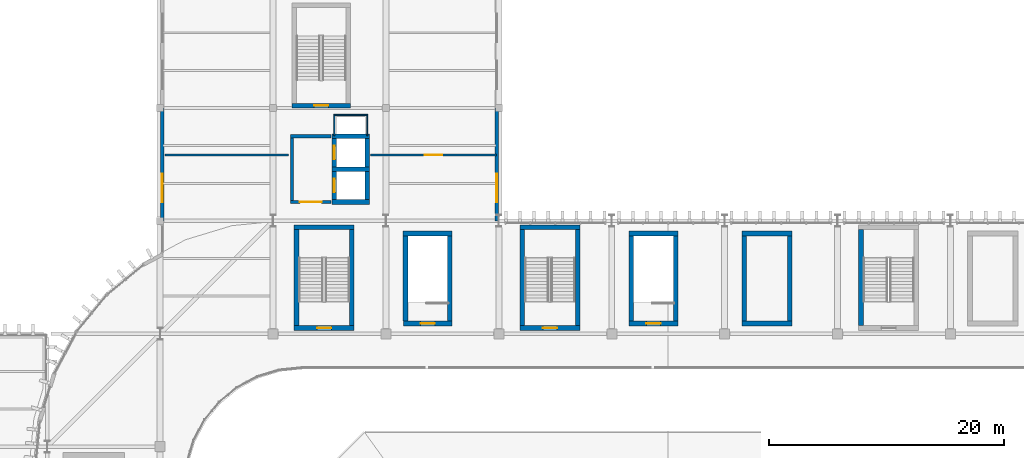
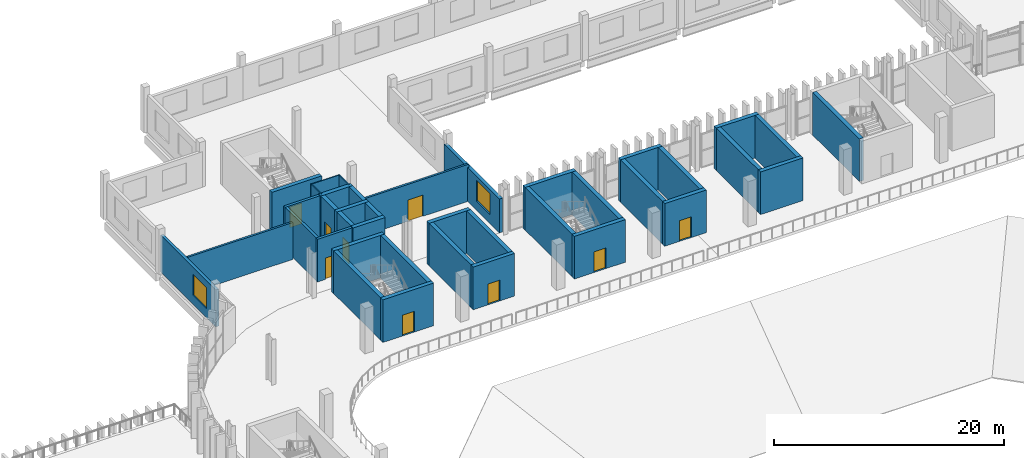
# One storey, part 62 of 99: 39 walls, 9 doors, 2 windows, 11 openings.
"""IFC4 building model written with IfcOpenShell, lengths in metres."""

from ifc_helpers import new_model, si_unit, direction, frame, frame_2d, origin, place, context, subcontext, project, spatial, rectangle, extrude, material, layer, layer_set, type_object, element, fill, save


model = new_model("IFC4")

# Units and contexts
model_context = context("Model", 3, precision=1e-05, world=origin(), true_north=direction((0.0, 1.0)))
body_context = subcontext(model_context, "Body", "Model", "MODEL_VIEW")
ifc_project = project(units=[si_unit("LENGTHUNIT", "METRE"), si_unit("AREAUNIT", "SQUARE_METRE"), si_unit("VOLUMEUNIT", "CUBIC_METRE"), si_unit("PLANEANGLEUNIT", "RADIAN"), si_unit("MASSUNIT", "GRAM", prefix="KILO")], contexts=[model_context])

# Site, building, storey
site_placement = place(None, origin())
site = spatial("IfcSite", under=ifc_project, at=site_placement, CompositionType="ELEMENT")
building_placement = place(site_placement, origin())
building = spatial("IfcBuilding", under=site, at=building_placement, Name="Caelomonte Colonnade Arena", CompositionType="ELEMENT")
storey_placement = place(building_placement, frame((0.0, 0.0, 4.800048828125)))
storey = spatial("IfcBuildingStorey", under=building, at=storey_placement, Name="L01", CompositionType="ELEMENT", Elevation=4.800048828125)

# Wall, opening, window
ifc_material_1 = material(Name="Precast concrete C40/50", Category="concrete")
ifc_layer_1 = layer(ifc_material_1, 0.2900390625)
ifc_layer_set_1 = layer_set([ifc_layer_1], Name="Precast concrete C40/50")
wall_type_1 = type_object("IfcWallType", Name="ENV-WL-EXT29", PredefinedType="SOLIDWALL", material=ifc_layer_set_1)
wall_1_placement = place(storey_placement, frame((67.3798828125, 124.800048828125, 0.0), z_axis=(0.0, 0.0, 1.0), x_axis=(0.0, -1.0, 0.0)))
wall_1 = element("IfcWall", 1, at=wall_1_placement, inside=storey, type_object=wall_type_1, Name="L01 exterior wall EW-L01-0221", PredefinedType="SOLIDWALL", context=body_context, shape_type="SweptSolid", body=[
    extrude(rectangle(XDim=9.60009765625, YDim=0.2900390625, at=frame_2d((4.800048828125, 0.0))), origin(), (0.0, 0.0, 1.0), 3.912841796875),
])
opening_1_placement = place(wall_1_placement, frame((8.0, 0.0, 0.949951171875), z_axis=(0.0, 0.0, 1.0), x_axis=(-1.0, 0.0, 0.0)))
opening_1 = element("IfcOpeningElement", 2, at=opening_1_placement, cuts=wall_1, Name="Opening WN-04", PredefinedType="OPENING", context=body_context, shape_type="SweptSolid", body=[
    extrude(rectangle(XDim=2.39990234375, YDim=2.199951171875, at=frame_2d((1.199951171875, 1.10009765625))), frame((0.0, 0.155029296875, 0.0), z_axis=(0.0, -1.0, 0.0), x_axis=(1.0, 0.0, 0.0)), (0.0, 0.0, 1.0), 0.31005859375),
])
ifc_material_2 = material(Name="Solar-control bronze low-E double glazing", Category="glass")
window_type = type_object("IfcWindowType", Name="ENV-WN-V4A", PartitioningType="DOUBLE_PANEL_VERTICAL", PredefinedType="WINDOW", material=ifc_material_2)
window_1_placement = place(opening_1_placement, origin())
window_1 = element("IfcWindow", 3, at=window_1_placement, inside=storey, type_object=window_type, Name="L01 facade window 138", OverallHeight=2.199951171875, OverallWidth=2.39990234375, PartitioningType="SINGLE_PANEL", PredefinedType="WINDOW", context=body_context, shape_type="SweptSolid", body=[
    extrude(rectangle(XDim=2.39990234375, YDim=2.199951171875, at=frame_2d((1.199951171875, 1.10009765625))), frame((0.0, 0.030029296875, 0.0), z_axis=(0.0, -1.0, 0.0), x_axis=(1.0, 0.0, 0.0)), (0.0, 0.0, 1.0), 0.06005859375),
])
fill(opening_1, window_1)

ifc_layer_2 = layer(ifc_material_1, 0.330078125)
ifc_layer_set_2 = layer_set([ifc_layer_2], Name="Precast concrete C40/50")
wall_type_2 = type_object("IfcWallType", Name="ENV-WL-EXT33", PredefinedType="SOLIDWALL", material=ifc_layer_set_2)
wall_2_placement = place(storey_placement, frame((95.820068359375, 115.199951171875, 0.0), z_axis=(0.0, 0.0, 1.0), x_axis=(0.0, 1.0, 0.0)))
wall_2 = element("IfcWall", 4, at=wall_2_placement, inside=storey, type_object=wall_type_2, Name="L01 exterior wall EW-L01-0236", PredefinedType="SOLIDWALL", context=body_context, shape_type="SweptSolid", body=[
    extrude(rectangle(XDim=9.60009765625, YDim=0.330078125, at=frame_2d((4.800048828125, 0.0))), origin(), (0.0, 0.0, 1.0), 3.593017578125),
])
opening_2_placement = place(wall_2_placement, frame((4.0, 0.0, 0.949951171875), z_axis=(0.0, 0.0, 1.0), x_axis=(-1.0, 0.0, 0.0)))
opening_2 = element("IfcOpeningElement", 5, at=opening_2_placement, cuts=wall_2, Name="Opening WN-04", PredefinedType="OPENING", context=body_context, shape_type="SweptSolid", body=[
    extrude(rectangle(XDim=2.39990234375, YDim=2.199951171875, at=frame_2d((1.199951171875, 1.10009765625))), frame((0.0, 0.175048828125, 0.0), z_axis=(0.0, -1.0, 0.0), x_axis=(1.0, 0.0, 0.0)), (0.0, 0.0, 1.0), 0.35009765625),
])
window_2_placement = place(opening_2_placement, origin())
window_2 = element("IfcWindow", 6, at=window_2_placement, inside=storey, type_object=window_type, Name="L01 facade window 153", OverallHeight=2.199951171875, OverallWidth=2.39990234375, PartitioningType="SINGLE_PANEL", PredefinedType="WINDOW", context=body_context, shape_type="SweptSolid", body=[
    extrude(rectangle(XDim=2.39990234375, YDim=2.199951171875, at=frame_2d((1.199951171875, 1.10009765625))), frame((0.0, 0.030029296875, 0.0), z_axis=(0.0, -1.0, 0.0), x_axis=(1.0, 0.0, 0.0)), (0.0, 0.0, 1.0), 0.06005859375),
])
fill(opening_2, window_2)

# Wall, opening, door
ifc_material_3 = material(Name="Concrete C40/50", Category="concrete")
ifc_layer_3 = layer(ifc_material_3, 0.260009765625)
ifc_layer_set_3 = layer_set([ifc_layer_3], Name="Concrete C40/50")
wall_type_3 = type_object("IfcWallType", Name="INT-WL-FW26", PredefinedType="SOLIDWALL", material=ifc_layer_set_3)
wall_3_placement = place(storey_placement, frame((78.27001953125, 116.800048828125, 0.0), z_axis=(0.0, 0.0, 1.0), x_axis=(1.0, 0.0, 0.0)))
wall_3 = element("IfcWall", 7, at=wall_3_placement, inside=storey, type_object=wall_type_3, Name="FW-C7-LB L01 south enclosure wall", PredefinedType="SOLIDWALL", context=body_context, shape_type="SweptSolid", body=[
    extrude(rectangle(XDim=3.4599609375, YDim=0.260009765625, at=frame_2d((1.72998046875, 0.0))), origin(), (0.0, 0.0, 1.0), 4.52001953125),
])
opening_3_placement = place(wall_3_placement, frame((2.655029296875, 0.0, 0.0), z_axis=(0.0, 0.0, 1.0), x_axis=(-1.0, 0.0, 0.0)))
opening_3 = element("IfcOpeningElement", 8, at=opening_3_placement, cuts=wall_3, Name="Opening FD-2", PredefinedType="OPENING", context=body_context, shape_type="SweptSolid", body=[
    extrude(rectangle(XDim=1.85009765625, YDim=2.25, at=frame_2d((0.925048828125, 1.125))), frame((0.0, 0.139892578125, 0.0), z_axis=(0.0, -1.0, 0.0), x_axis=(1.0, 0.0, 0.0)), (0.0, 0.0, 1.0), 0.280029296875),
])
ifc_material_4 = material(Name="Fire-rated double steel door", Category="steel")
door_type_1 = type_object("IfcDoorType", Name="INT-DR-FD90B", OperationType="DOUBLE_DOOR_SINGLE_SWING", PredefinedType="DOOR", material=ifc_material_4)
door_1_placement = place(opening_3_placement, origin())
door_1 = element("IfcDoor", 9, at=door_1_placement, inside=storey, type_object=door_type_1, Name="Core C7 L01 lobby fire door", OperationType="DOUBLE_DOOR_SINGLE_SWING", OverallHeight=2.25, OverallWidth=1.85009765625, PredefinedType="DOOR", context=body_context, shape_type="SweptSolid", body=[
    extrude(rectangle(XDim=1.85009765625, YDim=2.25, at=frame_2d((0.925048828125, 1.125))), frame((0.0, 0.02490234375, 0.0), z_axis=(0.0, -1.0, 0.0), x_axis=(1.0, 0.0, 0.0)), (0.0, 0.0, 1.0), 0.050048828125),
])
fill(opening_3, door_1)

# Walls
wall_4_placement = place(storey_placement, frame((81.72998046875, 122.39990234375, 0.0), z_axis=(0.0, 0.0, 1.0), x_axis=(-1.0, 0.0, 0.0)))
element("IfcWall", 10, at=wall_4_placement, inside=storey, type_object=wall_type_3, Name="FW-C7-LB L01 north enclosure wall", PredefinedType="SOLIDWALL", context=body_context, shape_type="SweptSolid", body=[
    extrude(rectangle(XDim=3.4599609375, YDim=0.260009765625, at=frame_2d((1.72998046875, 0.0))), origin(), (0.0, 0.0, 1.0), 4.52001953125),
])
wall_5_placement = place(storey_placement, frame((78.39990234375, 122.27001953125, 0.0), z_axis=(0.0, 0.0, 1.0), x_axis=(0.0, -1.0, 0.0)))
element("IfcWall", 11, at=wall_5_placement, inside=storey, type_object=wall_type_3, Name="FW-C7-LB L01 west enclosure wall", PredefinedType="SOLIDWALL", context=body_context, shape_type="SweptSolid", body=[
    extrude(rectangle(XDim=5.340087890625, YDim=0.260009765625, at=frame_2d((2.669921875, 0.0))), origin(), (0.0, 0.0, 1.0), 4.52001953125),
])
ifc_material_5 = material(Name="Service shaft lining partition")
ifc_layer_4 = layer(ifc_material_5, 0.10009765625)
ifc_layer_set_4 = layer_set([ifc_layer_4], Name="Service shaft lining partition")
wall_type_4 = type_object("IfcWallType", Name="INT-WL-PT10", PredefinedType="PARTITIONING", material=ifc_layer_set_4)
wall_6_placement = place(storey_placement, frame((84.85009765625, 124.199951171875, 0.0), z_axis=(0.0, 0.0, 1.0), x_axis=(-1.0, 0.0, 0.0)))
element("IfcWall", 12, at=wall_6_placement, inside=storey, type_object=wall_type_4, Name="FW-C7-RS L01 north enclosure wall", PredefinedType="PARTITIONING", context=body_context, shape_type="SweptSolid", body=[
    extrude(rectangle(XDim=2.900146484375, YDim=0.10009765625, at=frame_2d((1.4501953125, 0.0))), origin(), (0.0, 0.0, 1.0), 4.52001953125),
])
for number, where, z_axis, x_axis, name in (
    (13, (82.0, 124.14990234375, 0.0), (0.0, 0.0, 1.0), (0.0, -1.0, 0.0), "FW-C7-RS L01 west enclosure wall"),
    (14, (84.800048828125, 122.449951171875, 0.0), (0.0, 0.0, 1.0), (0.0, 1.0, 0.0), "FW-C7-RS L01 east enclosure wall"),
):
    element("IfcWall", number, at=place(storey_placement, frame(where, z_axis=z_axis, x_axis=x_axis)), inside=storey, type_object=wall_type_4, Name=name, PredefinedType="PARTITIONING", context=body_context, shape_type="SweptSolid", body=[
        extrude(rectangle(XDim=1.699951171875, YDim=0.10009765625, at=frame_2d((0.85009765625, 0.0))), origin(), (0.0, 0.0, 1.0), 4.52001953125),
    ])

# Wall, opening, door
ifc_material_6 = material(Name="Fire-rated gypsum stud partition")
ifc_layer_5 = layer(ifc_material_6, 0.199951171875)
ifc_layer_set_5 = layer_set([ifc_layer_5], Name="Fire-rated gypsum stud partition")
wall_type_5 = type_object("IfcWallType", Name="INT-WL-PT20", PredefinedType="PARTITIONING", material=ifc_layer_set_5)
wall_7_placement = place(storey_placement, frame((95.780029296875, 120.800048828125, 0.0), z_axis=(0.0, 0.0, 1.0), x_axis=(-1.0, 0.0, 0.0)))
wall_7 = element("IfcWall", 15, at=wall_7_placement, inside=storey, type_object=wall_type_5, Name="L01 Peristyle Fan Lounge partition 119", PredefinedType="PARTITIONING", context=body_context, shape_type="SweptSolid", body=[
    extrude(rectangle(XDim=10.699951171875, YDim=0.199951171875, at=frame_2d((5.35009765625, 0.0))), origin(), (0.0, 0.0, 1.0), 3.912841796875),
])
opening_4_placement = place(wall_7_placement, frame((4.60009765625, 0.0, 0.0), z_axis=(0.0, 0.0, 1.0), x_axis=(1.0, 0.0, 0.0)))
opening_4 = element("IfcOpeningElement", 16, at=opening_4_placement, cuts=wall_7, Name="Opening D-L01-039", PredefinedType="OPENING", context=body_context, shape_type="SweptSolid", body=[
    extrude(rectangle(XDim=1.5, YDim=2.25, at=frame_2d((0.75, 1.125))), frame((0.0, 0.10986328125, 0.0), z_axis=(0.0, -1.0, 0.0), x_axis=(1.0, 0.0, 0.0)), (0.0, 0.0, 1.0), 0.219970703125),
])
ifc_material_7 = material(Name="Hardwood double club lounge door", Category="wood")
door_type_2 = type_object("IfcDoorType", Name="INT-DR-SU2", OperationType="DOUBLE_DOOR_SINGLE_SWING", PredefinedType="DOOR", material=ifc_material_7)
door_2_placement = place(opening_4_placement, origin())
door_2 = element("IfcDoor", 17, at=door_2_placement, inside=storey, type_object=door_type_2, Name="L01 Peristyle Fan Lounge door D-L01-039", OperationType="DOUBLE_DOOR_SINGLE_SWING", OverallHeight=2.25, OverallWidth=1.5, PredefinedType="DOOR", context=body_context, shape_type="SweptSolid", body=[
    extrude(rectangle(XDim=1.5, YDim=2.25, at=frame_2d((0.75, 1.125))), frame((0.0, 0.02490234375, 0.0), z_axis=(0.0, -1.0, 0.0), x_axis=(1.0, 0.0, 0.0)), (0.0, 0.0, 1.0), 0.050048828125),
])
fill(opening_4, door_2)

# Wall
wall_8_placement = place(storey_placement, frame((78.1201171875, 120.800048828125, 0.0), z_axis=(0.0, 0.0, 1.0), x_axis=(-1.0, 0.0, 0.0)))
element("IfcWall", 18, at=wall_8_placement, inside=storey, type_object=wall_type_5, Name="L01 Peristyle Fan Lounge partition 120", PredefinedType="PARTITIONING", context=body_context, shape_type="SweptSolid", body=[
    extrude(rectangle(XDim=10.52001953125, YDim=0.199951171875, at=frame_2d((5.260009765625, 0.0))), origin(), (0.0, 0.0, 1.0), 3.912841796875),
])

# Wall, opening, door
ifc_material_8 = material(Name="Concrete C50/60", Category="concrete")
ifc_layer_6 = layer(ifc_material_8, 0.39990234375)
ifc_layer_set_6 = layer_set([ifc_layer_6], Name="Concrete C50/60")
wall_type_6 = type_object("IfcWallType", Name="INT-WL-SH40", PredefinedType="SHEAR", material=ifc_layer_set_6)
wall_9_placement = place(storey_placement, frame((78.39990234375, 125.0, 0.0), z_axis=(0.0, 0.0, 1.0), x_axis=(1.0, 0.0, 0.0)))
wall_9 = element("IfcWall", 19, at=wall_9_placement, inside=storey, type_object=wall_type_6, Name="CW-C7-ST L01 south enclosure wall", PredefinedType="SHEAR", context=body_context, shape_type="SweptSolid", body=[
    extrude(rectangle(XDim=5.0, YDim=0.39990234375, at=frame_2d((2.5, 0.0))), origin(), (0.0, 0.0, 1.0), 4.52001953125),
])
opening_5_placement = place(wall_9_placement, frame((3.099853515625, 0.0, 0.0), z_axis=(0.0, 0.0, 1.0), x_axis=(-1.0, 0.0, 0.0)))
opening_5 = element("IfcOpeningElement", 20, at=opening_5_placement, cuts=wall_9, Name="Opening FD-1", PredefinedType="OPENING", context=body_context, shape_type="SweptSolid", body=[
    extrude(rectangle(XDim=1.199951171875, YDim=2.199951171875, at=frame_2d((0.60009765625, 1.10009765625))), frame((0.0, 0.2099609375, 0.0), z_axis=(0.0, -1.0, 0.0), x_axis=(1.0, 0.0, 0.0)), (0.0, 0.0, 1.0), 0.419921875),
])
ifc_material_9 = material(Name="Fire-rated steel door", Category="steel")
door_type_3 = type_object("IfcDoorType", Name="INT-DR-FD90A", OperationType="NOTDEFINED", PredefinedType="DOOR", material=ifc_material_9)
door_3_placement = place(opening_5_placement, origin())
door_3 = element("IfcDoor", 21, at=door_3_placement, inside=storey, type_object=door_type_3, Name="Core C7 L01 exit stair fire door", OperationType="SINGLE_SWING_LEFT", OverallHeight=2.199951171875, OverallWidth=1.199951171875, PredefinedType="DOOR", context=body_context, shape_type="SweptSolid", body=[
    extrude(rectangle(XDim=1.199951171875, YDim=2.199951171875, at=frame_2d((0.60009765625, 1.10009765625))), frame((0.0, 0.02490234375, 0.0), z_axis=(0.0, -1.0, 0.0), x_axis=(1.0, 0.0, 0.0)), (0.0, 0.0, 1.0), 0.050048828125),
])
fill(opening_5, door_3)

# Walls
for number, where, z_axis, x_axis, name in (
    (22, (81.800048828125, 116.800048828125, 0.0), (0.0, 0.0, 1.0), (1.0, 0.0, 0.0), "CW-C7-LF L01 south enclosure wall"),
    (23, (85.0, 119.60009765625, 0.0), (0.0, 0.0, 1.0), (-1.0, 0.0, 0.0), "CW-C7-LF L01 north enclosure wall"),
):
    element("IfcWall", number, at=place(storey_placement, frame(where, z_axis=z_axis, x_axis=x_axis)), inside=storey, type_object=wall_type_6, Name=name, PredefinedType="SHEAR", context=body_context, shape_type="SweptSolid", body=[
        extrude(rectangle(XDim=3.199951171875, YDim=0.39990234375, at=frame_2d((1.60009765625, 0.0))), origin(), (0.0, 0.0, 1.0), 4.52001953125),
    ])

# Wall, opening, door
wall_10_placement = place(storey_placement, frame((82.0, 119.39990234375, 0.0), z_axis=(0.0, 0.0, 1.0), x_axis=(0.0, -1.0, 0.0)))
wall_10 = element("IfcWall", 24, at=wall_10_placement, inside=storey, type_object=wall_type_6, Name="CW-C7-LF L01 west enclosure wall", PredefinedType="SHEAR", context=body_context, shape_type="SweptSolid", body=[
    extrude(rectangle(XDim=2.39990234375, YDim=0.39990234375, at=frame_2d((1.199951171875, 0.0))), origin(), (0.0, 0.0, 1.0), 4.52001953125),
])
opening_6_placement = place(wall_10_placement, frame((0.625, 0.0, 0.0), z_axis=(0.0, 0.0, 1.0), x_axis=(1.0, 0.0, 0.0)))
opening_6 = element("IfcOpeningElement", 25, at=opening_6_placement, cuts=wall_10, Name="Opening LD-LF-05-L01", PredefinedType="OPENING", context=body_context, shape_type="SweptSolid", body=[
    extrude(rectangle(XDim=1.14990234375, YDim=2.199951171875, at=frame_2d((0.574951171875, 1.10009765625))), frame((0.0, 0.2099609375, 0.0), z_axis=(0.0, -1.0, 0.0), x_axis=(1.0, 0.0, 0.0)), (0.0, 0.0, 1.0), 0.419921875),
])
ifc_material_10 = material(Name="Stainless steel lift landing door", Category="steel")
door_type_4 = type_object("IfcDoorType", Name="INT-DR-LD1", OperationType="SLIDING_TO_LEFT", PredefinedType="DOOR", material=ifc_material_10)
door_4_placement = place(opening_6_placement, origin())
door_4 = element("IfcDoor", 26, at=door_4_placement, inside=storey, type_object=door_type_4, Name="Lift LF-05 L01 sliding landing door", OperationType="SLIDING_TO_LEFT", OverallHeight=2.199951171875, OverallWidth=1.14990234375, PredefinedType="DOOR", context=body_context, shape_type="SweptSolid", body=[
    extrude(rectangle(XDim=1.14990234375, YDim=2.199951171875, at=frame_2d((0.574951171875, 1.10009765625))), frame((0.0, 0.02490234375, 0.0), z_axis=(0.0, -1.0, 0.0), x_axis=(1.0, 0.0, 0.0)), (0.0, 0.0, 1.0), 0.050048828125),
])
fill(opening_6, door_4)

# Walls
wall_11_placement = place(storey_placement, frame((84.800048828125, 117.0, 0.0), z_axis=(0.0, 0.0, 1.0), x_axis=(0.0, 1.0, 0.0)))
element("IfcWall", 27, at=wall_11_placement, inside=storey, type_object=wall_type_6, Name="CW-C7-LF L01 east enclosure wall", PredefinedType="SHEAR", context=body_context, shape_type="SweptSolid", body=[
    extrude(rectangle(XDim=2.39990234375, YDim=0.39990234375, at=frame_2d((1.199951171875, 0.0))), origin(), (0.0, 0.0, 1.0), 4.52001953125),
])
wall_12_placement = place(storey_placement, frame((85.0, 122.39990234375, 0.0), z_axis=(0.0, 0.0, 1.0), x_axis=(-1.0, 0.0, 0.0)))
element("IfcWall", 28, at=wall_12_placement, inside=storey, type_object=wall_type_6, Name="CW-C7-LF2 L01 north enclosure wall", PredefinedType="SHEAR", context=body_context, shape_type="SweptSolid", body=[
    extrude(rectangle(XDim=3.199951171875, YDim=0.39990234375, at=frame_2d((1.60009765625, 0.0))), origin(), (0.0, 0.0, 1.0), 4.52001953125),
])

# Wall, opening, door
wall_13_placement = place(storey_placement, frame((82.0, 122.199951171875, 0.0), z_axis=(0.0, 0.0, 1.0), x_axis=(0.0, -1.0, 0.0)))
wall_13 = element("IfcWall", 29, at=wall_13_placement, inside=storey, type_object=wall_type_6, Name="CW-C7-LF2 L01 west enclosure wall", PredefinedType="SHEAR", context=body_context, shape_type="SweptSolid", body=[
    extrude(rectangle(XDim=2.39990234375, YDim=0.39990234375, at=frame_2d((1.199951171875, 0.0))), origin(), (0.0, 0.0, 1.0), 4.52001953125),
])
opening_7_placement = place(wall_13_placement, frame((0.625, 0.0, 0.0), z_axis=(0.0, 0.0, 1.0), x_axis=(1.0, 0.0, 0.0)))
opening_7 = element("IfcOpeningElement", 30, at=opening_7_placement, cuts=wall_13, Name="Opening LD-LF-06-L01", PredefinedType="OPENING", context=body_context, shape_type="SweptSolid", body=[
    extrude(rectangle(XDim=1.14990234375, YDim=2.199951171875, at=frame_2d((0.574951171875, 1.10009765625))), frame((0.0, 0.2099609375, 0.0), z_axis=(0.0, -1.0, 0.0), x_axis=(1.0, 0.0, 0.0)), (0.0, 0.0, 1.0), 0.419921875),
])
door_5_placement = place(opening_7_placement, origin())
door_5 = element("IfcDoor", 31, at=door_5_placement, inside=storey, type_object=door_type_4, Name="Lift LF-06 L01 sliding landing door", OperationType="SLIDING_TO_LEFT", OverallHeight=2.199951171875, OverallWidth=1.14990234375, PredefinedType="DOOR", context=body_context, shape_type="SweptSolid", body=[
    extrude(rectangle(XDim=1.14990234375, YDim=2.199951171875, at=frame_2d((0.574951171875, 1.10009765625))), frame((0.0, 0.02490234375, 0.0), z_axis=(0.0, -1.0, 0.0), x_axis=(1.0, 0.0, 0.0)), (0.0, 0.0, 1.0), 0.050048828125),
])
fill(opening_7, door_5)

# Wall
wall_14_placement = place(storey_placement, frame((84.800048828125, 119.800048828125, 0.0), z_axis=(0.0, 0.0, 1.0), x_axis=(0.0, 1.0, 0.0)))
element("IfcWall", 32, at=wall_14_placement, inside=storey, type_object=wall_type_6, Name="CW-C7-LF2 L01 east enclosure wall", PredefinedType="SHEAR", context=body_context, shape_type="SweptSolid", body=[
    extrude(rectangle(XDim=2.39990234375, YDim=0.39990234375, at=frame_2d((1.199951171875, 0.0))), origin(), (0.0, 0.0, 1.0), 4.52001953125),
])

# Wall, opening, door
wall_15_placement = place(storey_placement, frame((78.60009765625, 106.10009765625, 0.0), z_axis=(0.0, 0.0, 1.0), x_axis=(1.0, 0.0, 0.0)))
wall_15 = element("IfcWall", 33, at=wall_15_placement, inside=storey, type_object=wall_type_6, Name="CW-ST-14 L01 south enclosure wall", PredefinedType="SHEAR", context=body_context, shape_type="SweptSolid", body=[
    extrude(rectangle(XDim=5.099853515625, YDim=0.39990234375, at=frame_2d((2.5498046875, 0.0))), origin(), (0.0, 0.0, 1.0), 4.52001953125),
])
opening_8_placement = place(wall_15_placement, frame((3.14990234375, 0.0, 0.0), z_axis=(0.0, 0.0, 1.0), x_axis=(-1.0, 0.0, 0.0)))
opening_8 = element("IfcOpeningElement", 34, at=opening_8_placement, cuts=wall_15, Name="Opening FD-1", PredefinedType="OPENING", context=body_context, shape_type="SweptSolid", body=[
    extrude(rectangle(XDim=1.199951171875, YDim=2.199951171875, at=frame_2d((0.60009765625, 1.10009765625))), frame((0.0, 0.2099609375, 0.0), z_axis=(0.0, -1.0, 0.0), x_axis=(1.0, 0.0, 0.0)), (0.0, 0.0, 1.0), 0.419921875),
])
door_6_placement = place(opening_8_placement, origin())
door_6 = element("IfcDoor", 35, at=door_6_placement, inside=storey, type_object=door_type_3, Name="Protected exit stair ST-14 L01 fire door", OperationType="SINGLE_SWING_LEFT", OverallHeight=2.199951171875, OverallWidth=1.199951171875, PredefinedType="DOOR", context=body_context, shape_type="SweptSolid", body=[
    extrude(rectangle(XDim=1.199951171875, YDim=2.199951171875, at=frame_2d((0.60009765625, 1.10009765625))), frame((0.0, 0.02490234375, 0.0), z_axis=(0.0, -1.0, 0.0), x_axis=(1.0, 0.0, 0.0)), (0.0, 0.0, 1.0), 0.050048828125),
])
fill(opening_8, door_6)

# Walls
wall_16_placement = place(storey_placement, frame((83.699951171875, 114.64990234375, 0.0), z_axis=(0.0, 0.0, 1.0), x_axis=(-1.0, 0.0, 0.0)))
element("IfcWall", 36, at=wall_16_placement, inside=storey, type_object=wall_type_6, Name="CW-ST-14 L01 north enclosure wall", PredefinedType="SHEAR", context=body_context, shape_type="SweptSolid", body=[
    extrude(rectangle(XDim=5.099853515625, YDim=0.39990234375, at=frame_2d((2.5498046875, 0.0))), origin(), (0.0, 0.0, 1.0), 4.52001953125),
])
for number, where, z_axis, x_axis, name in (
    (37, (78.800048828125, 114.449951171875, 0.0), (0.0, 0.0, 1.0), (0.0, -1.0, 0.0), "CW-ST-14 L01 west enclosure wall"),
    (38, (83.5, 106.300048828125, 0.0), (0.0, 0.0, 1.0), (0.0, 1.0, 0.0), "CW-ST-14 L01 east enclosure wall"),
):
    element("IfcWall", number, at=place(storey_placement, frame(where, z_axis=z_axis, x_axis=x_axis)), inside=storey, type_object=wall_type_6, Name=name, PredefinedType="SHEAR", context=body_context, shape_type="SweptSolid", body=[
        extrude(rectangle(XDim=8.14990234375, YDim=0.39990234375, at=frame_2d((4.074951171875, 0.0))), origin(), (0.0, 0.0, 1.0), 4.52001953125),
    ])

# Wall, opening, door
wall_17_placement = place(storey_placement, frame((97.800048828125, 106.10009765625, 0.0), z_axis=(0.0, 0.0, 1.0), x_axis=(1.0, 0.0, 0.0)))
wall_17 = element("IfcWall", 39, at=wall_17_placement, inside=storey, type_object=wall_type_6, Name="CW-ST-15 L01 south enclosure wall", PredefinedType="SHEAR", context=body_context, shape_type="SweptSolid", body=[
    extrude(rectangle(XDim=5.099853515625, YDim=0.39990234375, at=frame_2d((2.5498046875, 0.0))), origin(), (0.0, 0.0, 1.0), 4.52001953125),
])
opening_9_placement = place(wall_17_placement, frame((3.14990234375, 0.0, 0.0), z_axis=(0.0, 0.0, 1.0), x_axis=(-1.0, 0.0, 0.0)))
opening_9 = element("IfcOpeningElement", 40, at=opening_9_placement, cuts=wall_17, Name="Opening FD-1", PredefinedType="OPENING", context=body_context, shape_type="SweptSolid", body=[
    extrude(rectangle(XDim=1.199951171875, YDim=2.199951171875, at=frame_2d((0.60009765625, 1.10009765625))), frame((0.0, 0.2099609375, 0.0), z_axis=(0.0, -1.0, 0.0), x_axis=(1.0, 0.0, 0.0)), (0.0, 0.0, 1.0), 0.419921875),
])
door_7_placement = place(opening_9_placement, origin())
door_7 = element("IfcDoor", 41, at=door_7_placement, inside=storey, type_object=door_type_3, Name="Protected exit stair ST-15 L01 fire door", OperationType="SINGLE_SWING_RIGHT", OverallHeight=2.199951171875, OverallWidth=1.199951171875, PredefinedType="DOOR", context=body_context, shape_type="SweptSolid", body=[
    extrude(rectangle(XDim=1.199951171875, YDim=2.199951171875, at=frame_2d((0.60009765625, 1.10009765625))), frame((0.0, 0.02490234375, 0.0), z_axis=(0.0, -1.0, 0.0), x_axis=(1.0, 0.0, 0.0)), (0.0, 0.0, 1.0), 0.050048828125),
])
fill(opening_9, door_7)

# Walls
wall_18_placement = place(storey_placement, frame((102.89990234375, 114.64990234375, 0.0), z_axis=(0.0, 0.0, 1.0), x_axis=(-1.0, 0.0, 0.0)))
element("IfcWall", 42, at=wall_18_placement, inside=storey, type_object=wall_type_6, Name="CW-ST-15 L01 north enclosure wall", PredefinedType="SHEAR", context=body_context, shape_type="SweptSolid", body=[
    extrude(rectangle(XDim=5.099853515625, YDim=0.39990234375, at=frame_2d((2.5498046875, 0.0))), origin(), (0.0, 0.0, 1.0), 4.52001953125),
])
for number, where, z_axis, x_axis, name in (
    (43, (98.0, 114.449951171875, 0.0), (0.0, 0.0, 1.0), (0.0, -1.0, 0.0), "CW-ST-15 L01 west enclosure wall"),
    (44, (102.699951171875, 106.300048828125, 0.0), (0.0, 0.0, 1.0), (0.0, 1.0, 0.0), "CW-ST-15 L01 east enclosure wall"),
    (45, (126.800048828125, 114.449951171875, 0.0), (0.0, 0.0, 1.0), (0.0, -1.0, 0.0), "CW-ST-16 L01 west enclosure wall"),
):
    element("IfcWall", number, at=place(storey_placement, frame(where, z_axis=z_axis, x_axis=x_axis)), inside=storey, type_object=wall_type_6, Name=name, PredefinedType="SHEAR", context=body_context, shape_type="SweptSolid", body=[
        extrude(rectangle(XDim=8.14990234375, YDim=0.39990234375, at=frame_2d((4.074951171875, 0.0))), origin(), (0.0, 0.0, 1.0), 4.52001953125),
    ])

# Wall, opening, door
wall_19_placement = place(storey_placement, frame((87.8701171875, 106.469970703125, 0.0), z_axis=(0.0, 0.0, 1.0), x_axis=(1.0, 0.0, 0.0)))
wall_19 = element("IfcWall", 46, at=wall_19_placement, inside=storey, type_object=wall_type_6, Name="CW-ST-V05 L01 south enclosure wall", PredefinedType="SHEAR", context=body_context, shape_type="SweptSolid", body=[
    extrude(rectangle(XDim=4.159912109375, YDim=0.39990234375, at=frame_2d((2.080078125, 0.0))), origin(), (0.0, 0.0, 1.0), 4.52001953125),
])
opening_10_placement = place(wall_19_placement, frame((2.679931640625, 0.0, 0.0), z_axis=(0.0, 0.0, 1.0), x_axis=(-1.0, 0.0, 0.0)))
opening_10 = element("IfcOpeningElement", 47, at=opening_10_placement, cuts=wall_19, Name="Opening FD-1", PredefinedType="OPENING", context=body_context, shape_type="SweptSolid", body=[
    extrude(rectangle(XDim=1.199951171875, YDim=2.199951171875, at=frame_2d((0.60009765625, 1.10009765625))), frame((0.0, 0.2099609375, 0.0), z_axis=(0.0, -1.0, 0.0), x_axis=(1.0, 0.0, 0.0)), (0.0, 0.0, 1.0), 0.419921875),
])
door_8_placement = place(opening_10_placement, origin())
door_8 = element("IfcDoor", 48, at=door_8_placement, inside=storey, type_object=door_type_3, Name="Vomitory VOM-05 stair ST-V05 L01 portal door", OperationType="SINGLE_SWING_LEFT", OverallHeight=2.199951171875, OverallWidth=1.199951171875, PredefinedType="DOOR", context=body_context, shape_type="SweptSolid", body=[
    extrude(rectangle(XDim=1.199951171875, YDim=2.199951171875, at=frame_2d((0.60009765625, 1.10009765625))), frame((0.0, 0.02490234375, 0.0), z_axis=(0.0, -1.0, 0.0), x_axis=(1.0, 0.0, 0.0)), (0.0, 0.0, 1.0), 0.050048828125),
])
fill(opening_10, door_8)

# Walls
wall_20_placement = place(storey_placement, frame((92.030029296875, 114.1298828125, 0.0), z_axis=(0.0, 0.0, 1.0), x_axis=(-1.0, 0.0, 0.0)))
element("IfcWall", 49, at=wall_20_placement, inside=storey, type_object=wall_type_6, Name="CW-ST-V05 L01 north enclosure wall", PredefinedType="SHEAR", context=body_context, shape_type="SweptSolid", body=[
    extrude(rectangle(XDim=4.159912109375, YDim=0.39990234375, at=frame_2d((2.080078125, 0.0))), origin(), (0.0, 0.0, 1.0), 4.52001953125),
])
for number, where, z_axis, x_axis, name in (
    (50, (88.070068359375, 113.929931640625, 0.0), (0.0, 0.0, 1.0), (0.0, -1.0, 0.0), "CW-ST-V05 L01 west enclosure wall"),
    (51, (91.830078125, 106.669921875, 0.0), (0.0, 0.0, 1.0), (0.0, 1.0, 0.0), "CW-ST-V05 L01 east enclosure wall"),
):
    element("IfcWall", number, at=place(storey_placement, frame(where, z_axis=z_axis, x_axis=x_axis)), inside=storey, type_object=wall_type_6, Name=name, PredefinedType="SHEAR", context=body_context, shape_type="SweptSolid", body=[
        extrude(rectangle(XDim=7.260009765625, YDim=0.39990234375, at=frame_2d((3.6298828125, 0.0))), origin(), (0.0, 0.0, 1.0), 4.52001953125),
    ])

# Wall, opening, door
wall_21_placement = place(storey_placement, frame((107.070068359375, 106.469970703125, 0.0), z_axis=(0.0, 0.0, 1.0), x_axis=(1.0, 0.0, 0.0)))
wall_21 = element("IfcWall", 52, at=wall_21_placement, inside=storey, type_object=wall_type_6, Name="CW-ST-V06 L01 south enclosure wall", PredefinedType="SHEAR", context=body_context, shape_type="SweptSolid", body=[
    extrude(rectangle(XDim=4.159912109375, YDim=0.39990234375, at=frame_2d((2.080078125, 0.0))), origin(), (0.0, 0.0, 1.0), 4.52001953125),
])
opening_11_placement = place(wall_21_placement, frame((2.679931640625, 0.0, 0.0), z_axis=(0.0, 0.0, 1.0), x_axis=(-1.0, 0.0, 0.0)))
opening_11 = element("IfcOpeningElement", 53, at=opening_11_placement, cuts=wall_21, Name="Opening FD-1", PredefinedType="OPENING", context=body_context, shape_type="SweptSolid", body=[
    extrude(rectangle(XDim=1.199951171875, YDim=2.199951171875, at=frame_2d((0.60009765625, 1.10009765625))), frame((0.0, 0.2099609375, 0.0), z_axis=(0.0, -1.0, 0.0), x_axis=(1.0, 0.0, 0.0)), (0.0, 0.0, 1.0), 0.419921875),
])
door_9_placement = place(opening_11_placement, origin())
door_9 = element("IfcDoor", 54, at=door_9_placement, inside=storey, type_object=door_type_3, Name="Vomitory VOM-06 stair ST-V06 L01 portal door", OperationType="SINGLE_SWING_LEFT", OverallHeight=2.199951171875, OverallWidth=1.199951171875, PredefinedType="DOOR", context=body_context, shape_type="SweptSolid", body=[
    extrude(rectangle(XDim=1.199951171875, YDim=2.199951171875, at=frame_2d((0.60009765625, 1.10009765625))), frame((0.0, 0.02490234375, 0.0), z_axis=(0.0, -1.0, 0.0), x_axis=(1.0, 0.0, 0.0)), (0.0, 0.0, 1.0), 0.050048828125),
])
fill(opening_11, door_9)

# Walls
wall_22_placement = place(storey_placement, frame((111.22998046875, 114.1298828125, 0.0), z_axis=(0.0, 0.0, 1.0), x_axis=(-1.0, 0.0, 0.0)))
element("IfcWall", 55, at=wall_22_placement, inside=storey, type_object=wall_type_6, Name="CW-ST-V06 L01 north enclosure wall", PredefinedType="SHEAR", context=body_context, shape_type="SweptSolid", body=[
    extrude(rectangle(XDim=4.159912109375, YDim=0.39990234375, at=frame_2d((2.080078125, 0.0))), origin(), (0.0, 0.0, 1.0), 4.52001953125),
])
for number, where, z_axis, x_axis, name in (
    (56, (107.27001953125, 113.929931640625, 0.0), (0.0, 0.0, 1.0), (0.0, -1.0, 0.0), "CW-ST-V06 L01 west enclosure wall"),
    (57, (111.030029296875, 106.669921875, 0.0), (0.0, 0.0, 1.0), (0.0, 1.0, 0.0), "CW-ST-V06 L01 east enclosure wall"),
):
    element("IfcWall", number, at=place(storey_placement, frame(where, z_axis=z_axis, x_axis=x_axis)), inside=storey, type_object=wall_type_6, Name=name, PredefinedType="SHEAR", context=body_context, shape_type="SweptSolid", body=[
        extrude(rectangle(XDim=7.260009765625, YDim=0.39990234375, at=frame_2d((3.6298828125, 0.0))), origin(), (0.0, 0.0, 1.0), 4.52001953125),
    ])
for number, where, z_axis, x_axis, name in (
    (58, (116.669921875, 106.469970703125, 0.0), (0.0, 0.0, 1.0), (1.0, 0.0, 0.0), "CW-ST-V15 L01 south enclosure wall"),
    (59, (120.929931640625, 114.1298828125, 0.0), (0.0, 0.0, 1.0), (-1.0, 0.0, 0.0), "CW-ST-V15 L01 north enclosure wall"),
):
    element("IfcWall", number, at=place(storey_placement, frame(where, z_axis=z_axis, x_axis=x_axis)), inside=storey, type_object=wall_type_6, Name=name, PredefinedType="SHEAR", context=body_context, shape_type="SweptSolid", body=[
        extrude(rectangle(XDim=4.260009765625, YDim=0.39990234375, at=frame_2d((2.1298828125, 0.0))), origin(), (0.0, 0.0, 1.0), 4.52001953125),
    ])
for number, where, z_axis, x_axis, name in (
    (60, (116.8701171875, 113.929931640625, 0.0), (0.0, 0.0, 1.0), (0.0, -1.0, 0.0), "CW-ST-V15 L01 west enclosure wall"),
    (61, (120.72998046875, 106.669921875, 0.0), (0.0, 0.0, 1.0), (0.0, 1.0, 0.0), "CW-ST-V15 L01 east enclosure wall"),
):
    element("IfcWall", number, at=place(storey_placement, frame(where, z_axis=z_axis, x_axis=x_axis)), inside=storey, type_object=wall_type_6, Name=name, PredefinedType="SHEAR", context=body_context, shape_type="SweptSolid", body=[
        extrude(rectangle(XDim=7.260009765625, YDim=0.39990234375, at=frame_2d((3.6298828125, 0.0))), origin(), (0.0, 0.0, 1.0), 4.52001953125),
    ])

save(model, "model.ifc")
